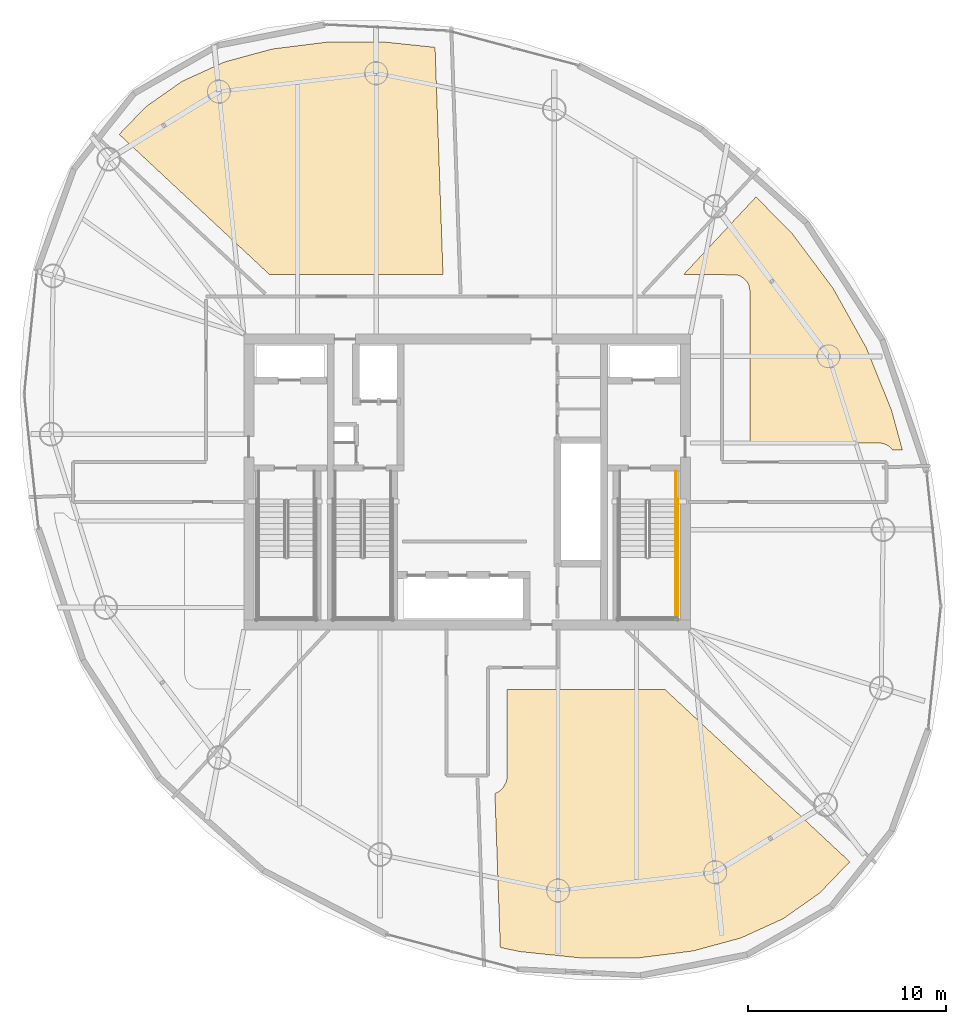
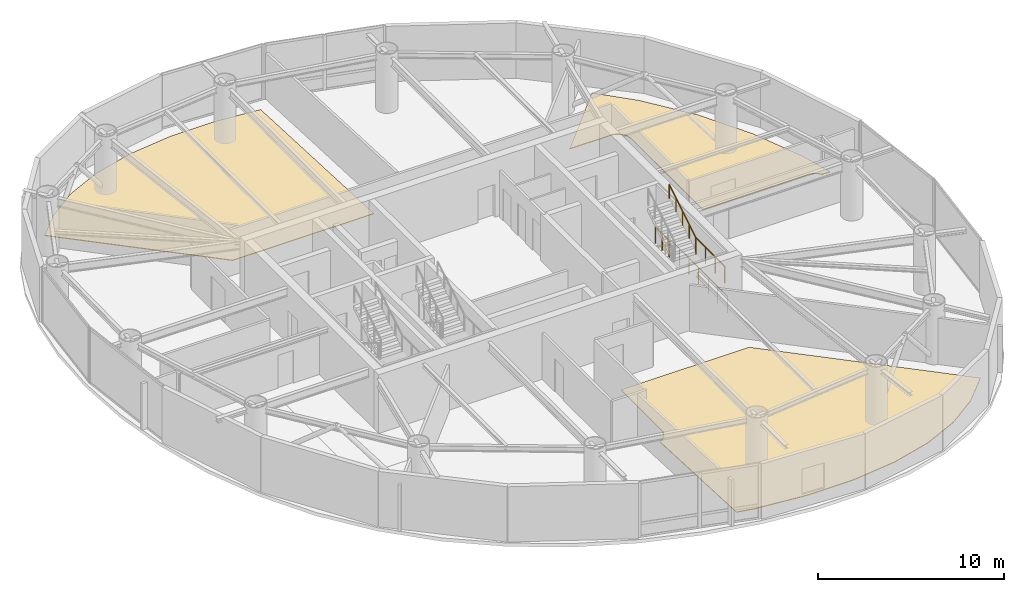
# One storey, part 20 of 20: 4 railings, 3 coverings.
"""IFC4 building model written with IfcOpenShell, lengths in metres."""

from ifc_helpers import new_model, si_unit, direction, frame, origin, origin_2d, place, context, subcontext, project, spatial, polyline, circle, outline, extrude, material, layer, layer_set, type_object, element, save


model = new_model("IFC4")

# Units and contexts
model_context = context("Model", 3, precision=1e-05, world=origin(), true_north=direction((0.0, 1.0)))
body_context = subcontext(model_context, "Body", "Model", "MODEL_VIEW")
ifc_project = project(units=[si_unit("LENGTHUNIT", "METRE"), si_unit("AREAUNIT", "SQUARE_METRE"), si_unit("VOLUMEUNIT", "CUBIC_METRE"), si_unit("PLANEANGLEUNIT", "RADIAN"), si_unit("MASSUNIT", "GRAM", prefix="KILO")], contexts=[model_context])

# Site, building, storey
site_placement = place(None, origin())
site = spatial("IfcSite", under=ifc_project, at=site_placement, CompositionType="ELEMENT")
building_placement = place(site_placement, origin())
building = spatial("IfcBuilding", under=site, at=building_placement, Name="Bramvorn Convention Spire", CompositionType="ELEMENT")
storey_placement = place(building_placement, frame((0.0, 0.0, 228.949951171875)))
storey = spatial("IfcBuildingStorey", under=building, at=storey_placement, Name="L58", CompositionType="ELEMENT", Elevation=228.949951171875)

# Coverings
ifc_material_1 = material(Name="Calcium-Sulphate Raised Access Office Floor", Category="steel")
ifc_layer = layer(ifc_material_1, 0.044921875)
ifc_layer_set = layer_set([ifc_layer], Name="Calcium-Sulphate Raised Access Office Floor - FLR-RAISED-45")
covering_type = type_object("IfcCoveringType", Name="FLR-RAISED-45", PredefinedType="FLOORING", material=ifc_layer_set)
covering_1_placement = place(storey_placement, origin())
element("IfcCovering", 1, at=covering_1_placement, inside=storey, type_object=covering_type, Name="L58 Quantitative Office Desk West 1 raised floor finish", PredefinedType="FLOORING", context=body_context, shape_type="SweptSolid", body=[
    extrude(outline(polyline([(48.906982421875, 36.449951171875), (51.56591796875, 36.43359375), (51.725341796875, 36.38525390625), (51.939208984375, 36.257080078125), (52.106689453125, 36.072265625), (52.185302734375, 35.92529296875), (52.25, 35.60009765625), (52.25, 27.969970703125), (58.73779296875, 27.968994140625), (58.94189453125, 27.93798828125), (59.123779296875, 27.8701171875), (59.288818359375, 27.76708984375), (59.456298828125, 27.599853515625), (59.926513671875, 27.6162109375), (59.3876953125, 29.5927734375), (58.10888671875, 32.7626953125), (56.443603515625, 35.74560546875), (54.4033203125, 38.478759765625), (52.55517578125, 40.3623046875), (48.906982421875, 36.449951171875)])), origin(), (0.0, 0.0, 1.0), 0.045166015625),
])
covering_2_placement = place(storey_placement, origin())
element("IfcCovering", 2, at=covering_2_placement, inside=storey, type_object=covering_type, Name="L58 Trader Dining Cafe 1 3 raised floor finish", PredefinedType="FLOORING", context=body_context, shape_type="SweptSolid", body=[
    extrude(outline(polyline([(28.0400390625, 36.449951171875), (36.78466796875, 36.449951171875), (36.385009765625, 47.8955078125), (33.81005859375, 48.163818359375), (30.883544921875, 48.15087890625), (28.187255859375, 47.812255859375), (25.764892578125, 47.15478515625), (23.637939453125, 46.18310546875), (21.8046875, 44.895263671875), (20.470703125, 43.508544921875), (28.0400390625, 36.449951171875)])), origin(), (0.0, 0.0, 1.0), 0.045166015625),
])
covering_3_placement = place(storey_placement, origin())
element("IfcCovering", 3, at=covering_3_placement, inside=storey, type_object=covering_type, Name="L58 Server & Tape Store 7 raised floor finish", PredefinedType="FLOORING", context=body_context, shape_type="SweptSolid", body=[
    extrude(outline(polyline([(39.669677734375, 2.543701171875), (40.65771484375, 2.33642578125), (43.751708984375, 2.013916015625), (46.67822265625, 2.02685546875), (49.37451171875, 2.365478515625), (51.796875, 3.02294921875), (53.924072265625, 3.99462890625), (55.757080078125, 5.282470703125), (57.276611328125, 6.862060546875), (47.9599609375, 15.550048828125), (40.02001953125, 15.550048828125), (40.01025390625, 11.0634765625), (39.961181640625, 10.86767578125), (39.825439453125, 10.617431640625), (39.632568359375, 10.424560546875), (39.39892578125, 10.295654296875), (39.669677734375, 2.543701171875)])), origin(), (0.0, 0.0, 1.0), 0.045166015625),
])

# Railings
ifc_material_2 = material(Name="Painted Steel Balustrade & Guardrail", Category="steel")
railing_type_1 = type_object("IfcRailingType", Name="RL-STAIR-GUARD-1100", PredefinedType="GUARDRAIL", material=ifc_material_2)
railing_1_placement = place(storey_placement, frame((48.5, 22.199951171875, 1.925048828125)))
element("IfcRailing", 4, at=railing_1_placement, inside=storey, type_object=railing_type_1, Name="L58 ST2 stair guard 4", PredefinedType="GUARDRAIL", context=body_context, shape_type="SweptSolid", body=[
    extrude(circle(Radius=0.02392578125, at=origin_2d()), frame((0.0, 0.0, 1.076171875), z_axis=(0.0, -1.0, 0.0), x_axis=(1.0, 0.0, 0.0)), (0.0, 0.0, 1.0), 3.099853515625),
    extrude(circle(Radius=0.02099609375, at=origin_2d()), origin(), (0.0, 0.0, 1.0), 1.052001953125),
    extrude(circle(Radius=0.02099609375, at=origin_2d()), frame((0.0, -1.033203125, 0.0)), (0.0, 0.0, 1.0), 1.052001953125),
    extrude(circle(Radius=0.02099609375, at=origin_2d()), frame((0.0, -2.066650390625, 0.0)), (0.0, 0.0, 1.0), 1.052001953125),
    extrude(circle(Radius=0.02099609375, at=origin_2d()), frame((0.0, -3.099853515625, 0.0)), (0.0, 0.0, 1.0), 1.052001953125),
])
railing_2_placement = place(storey_placement, frame((48.5, 26.550048828125, 0.0)))
element("IfcRailing", 5, at=railing_2_placement, inside=storey, type_object=railing_type_1, Name="L58 ST2 stair guard 9", PredefinedType="GUARDRAIL", context=body_context, shape_type="SweptSolid", body=[
    extrude(circle(Radius=0.02392578125, at=origin_2d()), frame((0.0, 0.0, 1.076171875), z_axis=(0.0, -1.0, 0.0), x_axis=(1.0, 0.0, 0.0)), (0.0, 0.0, 1.0), 1.5),
    extrude(circle(Radius=0.02099609375, at=origin_2d()), origin(), (0.0, 0.0, 1.0), 1.052001953125),
    extrude(circle(Radius=0.02099609375, at=origin_2d()), frame((0.0, -0.75, 0.0)), (0.0, 0.0, 1.0), 1.052001953125),
    extrude(circle(Radius=0.02099609375, at=origin_2d()), frame((0.0, -1.5, 0.0)), (0.0, 0.0, 1.0), 1.052001953125),
])
railing_3_placement = place(storey_placement, frame((48.60009765625, 25.14990234375, 0.0)))
element("IfcRailing", 6, at=railing_3_placement, inside=storey, type_object=railing_type_1, Name="L58 ST2 stair guard 11", PredefinedType="GUARDRAIL", context=body_context, shape_type="SweptSolid", body=[
    extrude(circle(Radius=0.02392578125, at=origin_2d()), frame((0.0, 0.0, 1.076171875), z_axis=(0.0, -1.0, 0.0), x_axis=(1.0, 0.0, 0.0)), (0.0, 0.0, 1.0), 6.14990234375),
    extrude(circle(Radius=0.02099609375, at=origin_2d()), origin(), (0.0, 0.0, 1.0), 1.052001953125),
    extrude(circle(Radius=0.02099609375, at=origin_2d()), frame((0.0, -1.02490234375, 0.0)), (0.0, 0.0, 1.0), 1.052001953125),
    extrude(circle(Radius=0.02099609375, at=origin_2d()), frame((0.0, -2.050048828125, 0.0)), (0.0, 0.0, 1.0), 1.052001953125),
    extrude(circle(Radius=0.02099609375, at=origin_2d()), frame((0.0, -3.074951171875, 0.0)), (0.0, 0.0, 1.0), 1.052001953125),
    extrude(circle(Radius=0.02099609375, at=origin_2d()), frame((0.0, -4.099853515625, 0.0)), (0.0, 0.0, 1.0), 1.052001953125),
    extrude(circle(Radius=0.02099609375, at=origin_2d()), frame((0.0, -5.125, 0.0)), (0.0, 0.0, 1.0), 1.052001953125),
    extrude(circle(Radius=0.02099609375, at=origin_2d()), frame((0.0, -6.14990234375, 0.0)), (0.0, 0.0, 1.0), 1.052001953125),
])
ifc_material_3 = material(Name="Brushed Bronze Tubular Handrail", Category="aluminium")
railing_type_2 = type_object("IfcRailingType", Name="RL-STAIR-HR-920", PredefinedType="HANDRAIL", material=ifc_material_3)
railing_4_placement = place(storey_placement, frame((48.5, 22.199951171875, 2.10009765625)))
element("IfcRailing", 7, at=railing_4_placement, inside=storey, type_object=railing_type_2, Name="L58 ST2 stair handrail 2", PredefinedType="HANDRAIL", context=body_context, shape_type="SweptSolid", body=[
    extrude(circle(Radius=0.02392578125, at=origin_2d()), frame((0.0, 0.0, 0.89599609375), z_axis=(0.0, 0.852179220489, 0.52325001306), x_axis=(-1.0, 0.0, 0.0)), (0.0, 0.0, 1.0), 3.344482421875),
    extrude(circle(Radius=0.02099609375, at=origin_2d()), origin(), (0.0, 0.0, 1.0), 0.871826171875),
    extrude(circle(Radius=0.02099609375, at=origin_2d()), frame((0.0, 0.71240234375, 0.4375)), (0.0, 0.0, 1.0), 0.871826171875),
    extrude(circle(Radius=0.02099609375, at=origin_2d()), frame((0.0, 1.425048828125, 0.875)), (0.0, 0.0, 1.0), 0.871826171875),
    extrude(circle(Radius=0.02099609375, at=origin_2d()), frame((0.0, 2.1376953125, 1.3125)), (0.0, 0.0, 1.0), 0.871826171875),
    extrude(circle(Radius=0.02099609375, at=origin_2d()), frame((0.0, 2.85009765625, 1.75)), (0.0, 0.0, 1.0), 0.871826171875),
])

save(model, "model.ifc")
